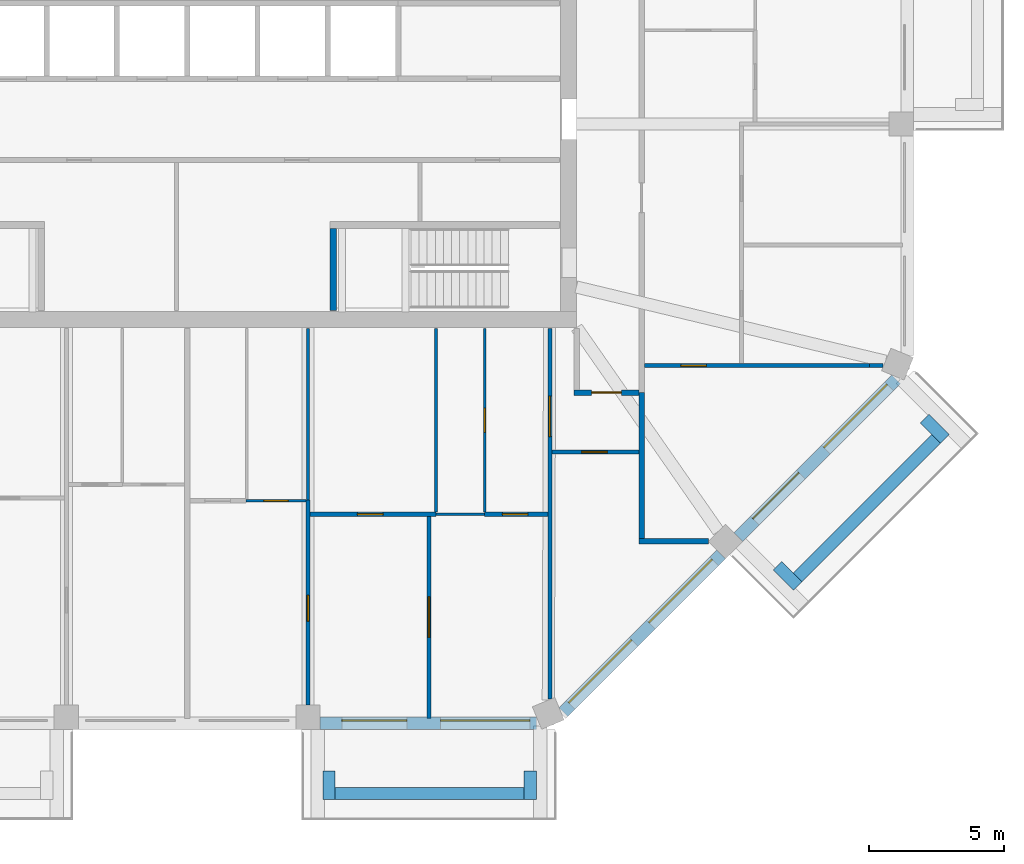
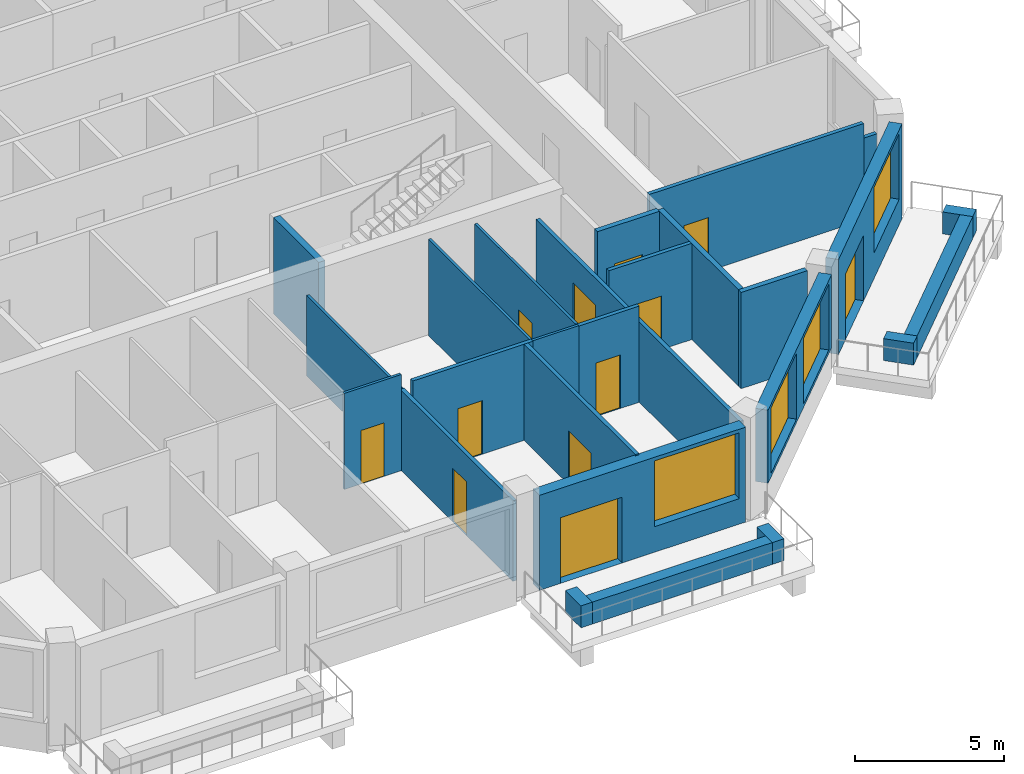
# One storey, part 5 of 13: 26 walls, 12 doors, 4 windows, 16 openings.
"""IFC4 building model written with IfcOpenShell, lengths in metres."""

from ifc_helpers import new_model, si_unit, direction, frame, frame_2d, origin, place, context, subcontext, project, spatial, rectangle, extrude, material, layer, layer_set, type_object, element, fill, save


model = new_model("IFC4")

# Units and contexts
model_context = context("Model", 3, precision=1e-05, world=origin(), true_north=direction((0.0, 1.0)))
body_context = subcontext(model_context, "Body", "Model", "MODEL_VIEW")
ifc_project = project(units=[si_unit("LENGTHUNIT", "METRE"), si_unit("AREAUNIT", "SQUARE_METRE"), si_unit("VOLUMEUNIT", "CUBIC_METRE"), si_unit("PLANEANGLEUNIT", "RADIAN"), si_unit("MASSUNIT", "GRAM", prefix="KILO")], contexts=[model_context])

# Site, building, storey
site_placement = place(None, origin())
site = spatial("IfcSite", under=ifc_project, at=site_placement, CompositionType="ELEMENT")
building_placement = place(site_placement, origin())
building = spatial("IfcBuilding", under=site, at=building_placement, Name="Msitu Wima Residences", CompositionType="ELEMENT")
storey_placement = place(building_placement, frame((0.0, 0.0, 285.300048828125)))
storey = spatial("IfcBuildingStorey", under=building, at=storey_placement, Name="L66", CompositionType="ELEMENT", Elevation=285.300048828125)

# Walls
ifc_material_1 = material(Name="Facing brick")
ifc_layer_1 = layer(ifc_material_1, 0.06494140625, Name="Facing brick")
ifc_material_2 = material(Name="Concrete C40/50", Category="concrete")
ifc_layer_2 = layer(ifc_material_2, 0.156005859375, Name="Concrete C40/50")
ifc_material_3 = material(Name="Waterproofing membrane")
ifc_layer_3 = layer(ifc_material_3, 0.00390625, Name="Waterproofing membrane")
ifc_material_4 = material(Name="Planting soil and planting")
ifc_layer_4 = layer(ifc_material_4, 0.22509765625, Name="Planting soil and planting")
ifc_layer_set_1 = layer_set([ifc_layer_1, ifc_layer_2, ifc_layer_3, ifc_layer_4], Name="Concrete C40/50")
wall_type_1 = type_object("IfcWallType", Name="Balcony planter PLANTER PL450", PredefinedType="USERDEFINED", material=ifc_layer_set_1)
wall_1_placement = place(storey_placement, frame((5.468505859375, -29.22509765625, 0.0), z_axis=(0.0, 0.0, 1.0), x_axis=(1.0, 0.0, 0.0)))
element("IfcWall", 1, at=wall_1_placement, inside=storey, type_object=wall_type_1, Name="Balcony planter S2 L66", ObjectType="PLANTER", PredefinedType="USERDEFINED", context=body_context, shape_type="SweptSolid", body=[
    extrude(rectangle(XDim=6.9873046875, YDim=0.449951171875, at=frame_2d((3.49365234375, 0.0))), origin(), (0.0, 0.0, 1.0), 0.89990234375),
])
for number, where, z_axis, x_axis, name in (
    (2, (5.24365234375, -28.39990234375, 0.0), (0.0, 0.0, 1.0), (0.0, -1.0, 0.0), "Balcony planter S2 L66"),
    (3, (12.680908203125, -28.39990234375, 0.0), (0.0, 0.0, 1.0), (0.0, -1.0, 0.0), "Balcony planter S2 L66"),
):
    element("IfcWall", number, at=place(storey_placement, frame(where, z_axis=z_axis, x_axis=x_axis)), inside=storey, type_object=wall_type_1, Name=name, ObjectType="PLANTER", PredefinedType="USERDEFINED", context=body_context, shape_type="SweptSolid", body=[
        extrude(rectangle(XDim=1.050048828125, YDim=0.449951171875, at=frame_2d((0.52490234375, 0.0))), origin(), (0.0, 0.0, 1.0), 0.89990234375),
    ])
wall_2_placement = place(storey_placement, frame((22.572265625, -21.228759765625, 0.0), z_axis=(0.0, 0.0, 1.0), x_axis=(0.707106781187, 0.707106781187, 0.0)))
element("IfcWall", 4, at=wall_2_placement, inside=storey, type_object=wall_type_1, Name="Balcony planter SE1 L66", ObjectType="PLANTER", PredefinedType="USERDEFINED", context=body_context, shape_type="SweptSolid", body=[
    extrude(rectangle(XDim=7.23828125, YDim=0.449951171875, at=frame_2d((3.619140625, 0.0))), origin(), (0.0, 0.0, 1.0), 0.89990234375),
])
for number, where, z_axis, x_axis, name in (
    (5, (21.829833984375, -20.804443359375, 0.0), (0.0, 0.0, 1.0), (0.707106781187, -0.707106781187, 0.0), "Balcony planter SE1 L66"),
    (6, (27.26611328125, -15.3681640625, 0.0), (0.0, 0.0, 1.0), (0.707223014731, -0.706990528533, 0.0), "Balcony planter SE1 L66"),
):
    element("IfcWall", number, at=place(storey_placement, frame(where, z_axis=z_axis, x_axis=x_axis)), inside=storey, type_object=wall_type_1, Name=name, ObjectType="PLANTER", PredefinedType="USERDEFINED", context=body_context, shape_type="SweptSolid", body=[
        extrude(rectangle(XDim=1.050048828125, YDim=0.449951171875, at=frame_2d((0.52490234375, 0.0))), origin(), (0.0, 0.0, 1.0), 0.89990234375),
    ])

# Wall, openings, door, window
ifc_material_5 = material(Name="Brick (red buff mix)", Category="masonry")
ifc_layer_5 = layer(ifc_material_5, 0.449951171875)
ifc_layer_set_2 = layer_set([ifc_layer_5], Name="Brick (red buff mix)")
wall_type_2 = type_object("IfcWallType", Name="Brick infill wall BW450", PredefinedType="SOLIDWALL", material=ifc_layer_set_2)
wall_3_placement = place(storey_placement, frame((4.918701171875, -26.625, 0.0), z_axis=(0.0, 0.0, 1.0), x_axis=(1.0, 0.0, 0.0)))
wall_3 = element("IfcWall", 7, at=wall_3_placement, inside=storey, type_object=wall_type_2, Name="Brick infill wall L66 S2", PredefinedType="SOLIDWALL", context=body_context, shape_type="SweptSolid", body=[
    extrude(rectangle(XDim=8.0, YDim=0.449951171875, at=frame_2d((4.0, 0.0))), origin(), (0.0, 0.0, 1.0), 3.89990234375),
])
opening_1_placement = place(wall_3_placement, frame((0.800048828125, 0.0, 0.0)))
opening_1 = element("IfcOpeningElement", 8, at=opening_1_placement, cuts=wall_3, Name="Opening D65-67.007", PredefinedType="OPENING", context=body_context, shape_type="SweptSolid", body=[
    extrude(rectangle(XDim=2.39990234375, YDim=2.699951171875, at=frame_2d((1.199951171875, 1.35009765625))), frame((0.0, 0.23486328125, 0.0), z_axis=(0.0, -1.0, 0.0), x_axis=(1.0, 0.0, 0.0)), (0.0, 0.0, 1.0), 0.469970703125),
])
opening_2_placement = place(wall_3_placement, frame((4.4501953125, 0.0, 1.050048828125)))
opening_2 = element("IfcOpeningElement", 9, at=opening_2_placement, cuts=wall_3, Name="Opening W65-67.019", PredefinedType="OPENING", context=body_context, shape_type="SweptSolid", body=[
    extrude(rectangle(XDim=3.300048828125, YDim=2.699951171875, at=frame_2d((1.64990234375, 1.35009765625))), frame((0.0, 0.23486328125, 0.0), z_axis=(0.0, -1.0, 0.0), x_axis=(1.0, 0.0, 0.0)), (0.0, 0.0, 1.0), 0.469970703125),
])
ifc_material_6 = material(Name="Anodised aluminium, bronze finish, clear low-emissivity double glazing", Category="aluminium")
door_type_1 = type_object("IfcDoorType", Name="Balcony door D2400x2700", OperationType="SLIDING_TO_LEFT", PredefinedType="DOOR", material=ifc_material_6)
door_1_placement = place(opening_1_placement, origin())
door_1 = element("IfcDoor", 10, at=door_1_placement, inside=storey, type_object=door_type_1, Name="Balcony door L66 S2", OperationType="SINGLE_SWING_LEFT", OverallHeight=2.699951171875, OverallWidth=2.39990234375, PredefinedType="DOOR", context=body_context, shape_type="SweptSolid", body=[
    extrude(rectangle(XDim=2.39990234375, YDim=2.699951171875, at=frame_2d((1.199951171875, 1.35009765625))), frame((0.0, 0.1298828125, 0.0), z_axis=(0.0, -1.0, 0.0), x_axis=(1.0, 0.0, 0.0)), (0.0, 0.0, 1.0), 0.050048828125),
])
fill(opening_1, door_1)
window_type = type_object("IfcWindowType", Name="Window W3300x2700", PartitioningType="DOUBLE_PANEL_VERTICAL", PredefinedType="WINDOW", material=ifc_material_6)
window_1_placement = place(opening_2_placement, origin())
window_1 = element("IfcWindow", 11, at=window_1_placement, inside=storey, type_object=window_type, Name="Window L66 S2.2", OverallHeight=2.699951171875, OverallWidth=3.300048828125, PartitioningType="SINGLE_PANEL", PredefinedType="WINDOW", context=body_context, shape_type="SweptSolid", body=[
    extrude(rectangle(XDim=3.300048828125, YDim=2.699951171875, at=frame_2d((1.64990234375, 1.35009765625))), frame((0.0, 0.135009765625, 0.0), z_axis=(0.0, -1.0, 0.0), x_axis=(1.0, 0.0, 0.0)), (0.0, 0.0, 1.0), 0.06005859375),
])
fill(opening_2, window_1)

# Wall, openings, windows
wall_4_placement = place(storey_placement, frame((13.909423828125, -26.214599609375, 0.89990234375), z_axis=(0.0, 0.0, 1.0), x_axis=(0.707106781187, 0.707106781187, 0.0)))
wall_4 = element("IfcWall", 12, at=wall_4_placement, inside=storey, type_object=wall_type_2, Name="Brick infill wall L66 SE0", PredefinedType="SOLIDWALL", context=body_context, shape_type="SweptSolid", body=[
    extrude(rectangle(XDim=8.251220703125, YDim=0.449951171875, at=frame_2d((4.12548828125, 0.0))), origin(), (0.0, 0.0, 1.0), 3.0),
])
opening_3_placement = place(wall_4_placement, frame((0.37548828125, 0.0, 0.14990234375)))
opening_3 = element("IfcOpeningElement", 13, at=opening_3_placement, cuts=wall_4, Name="Opening W65-67.020", PredefinedType="OPENING", context=body_context, shape_type="SweptSolid", body=[
    extrude(rectangle(XDim=3.300048828125, YDim=2.699951171875, at=frame_2d((1.64990234375, 1.35009765625))), frame((0.0, 0.23486328125, 0.0), z_axis=(0.0, -1.0, 0.0), x_axis=(1.0, 0.0, 0.0)), (0.0, 0.0, 1.0), 0.469970703125),
])
opening_4_placement = place(wall_4_placement, frame((4.57568359375, 0.0, 0.14990234375)))
opening_4 = element("IfcOpeningElement", 14, at=opening_4_placement, cuts=wall_4, Name="Opening W65-67.021", PredefinedType="OPENING", context=body_context, shape_type="SweptSolid", body=[
    extrude(rectangle(XDim=3.300048828125, YDim=2.699951171875, at=frame_2d((1.64990234375, 1.35009765625))), frame((0.0, 0.23486328125, 0.0), z_axis=(0.0, -1.0, 0.0), x_axis=(1.0, 0.0, 0.0)), (0.0, 0.0, 1.0), 0.469970703125),
])
window_2_placement = place(opening_3_placement, origin())
window_2 = element("IfcWindow", 15, at=window_2_placement, inside=storey, type_object=window_type, Name="Window L66 SE0.1", OverallHeight=2.699951171875, OverallWidth=3.300048828125, PartitioningType="SINGLE_PANEL", PredefinedType="WINDOW", context=body_context, shape_type="SweptSolid", body=[
    extrude(rectangle(XDim=3.300048828125, YDim=2.699951171875, at=frame_2d((1.64990234375, 1.35009765625))), frame((0.0, 0.135009765625, 0.0), z_axis=(0.0, -1.0, 0.0), x_axis=(1.0, 0.0, 0.0)), (0.0, 0.0, 1.0), 0.06005859375),
])
fill(opening_3, window_2)
window_3_placement = place(opening_4_placement, origin())
window_3 = element("IfcWindow", 16, at=window_3_placement, inside=storey, type_object=window_type, Name="Window L66 SE0.2", OverallHeight=2.699951171875, OverallWidth=3.300048828125, PartitioningType="SINGLE_PANEL", PredefinedType="WINDOW", context=body_context, shape_type="SweptSolid", body=[
    extrude(rectangle(XDim=3.300048828125, YDim=2.699951171875, at=frame_2d((1.64990234375, 1.35009765625))), frame((0.0, 0.135009765625, 0.0), z_axis=(0.0, -1.0, 0.0), x_axis=(1.0, 0.0, 0.0)), (0.0, 0.0, 1.0), 0.06005859375),
])
fill(opening_4, window_3)

# Wall, openings, door, window
wall_5_placement = place(storey_placement, frame((20.380126953125, -19.743896484375, 0.0), z_axis=(0.0, 0.0, 1.0), x_axis=(0.707106781187, 0.707106781187, 0.0)))
wall_5 = element("IfcWall", 17, at=wall_5_placement, inside=storey, type_object=wall_type_2, Name="Brick infill wall L66 SE1", PredefinedType="SOLIDWALL", context=body_context, shape_type="SweptSolid", body=[
    extrude(rectangle(XDim=8.251220703125, YDim=0.449951171875, at=frame_2d((4.12548828125, 0.0))), origin(), (0.0, 0.0, 1.0), 3.89990234375),
])
opening_5_placement = place(wall_5_placement, frame((0.86279296875, 0.0, 0.0)))
opening_5 = element("IfcOpeningElement", 18, at=opening_5_placement, cuts=wall_5, Name="Opening D65-67.008", PredefinedType="OPENING", context=body_context, shape_type="SweptSolid", body=[
    extrude(rectangle(XDim=2.39990234375, YDim=2.699951171875, at=frame_2d((1.199951171875, 1.35009765625))), frame((0.0, 0.23486328125, 0.0), z_axis=(0.0, -1.0, 0.0), x_axis=(1.0, 0.0, 0.0)), (0.0, 0.0, 1.0), 0.469970703125),
])
opening_6_placement = place(wall_5_placement, frame((4.57568359375, 0.0, 1.050048828125)))
opening_6 = element("IfcOpeningElement", 19, at=opening_6_placement, cuts=wall_5, Name="Opening W65-67.022", PredefinedType="OPENING", context=body_context, shape_type="SweptSolid", body=[
    extrude(rectangle(XDim=3.300048828125, YDim=2.699951171875, at=frame_2d((1.64990234375, 1.35009765625))), frame((0.0, 0.23486328125, 0.0), z_axis=(0.0, -1.0, 0.0), x_axis=(1.0, 0.0, 0.0)), (0.0, 0.0, 1.0), 0.469970703125),
])
door_2_placement = place(opening_5_placement, origin())
door_2 = element("IfcDoor", 20, at=door_2_placement, inside=storey, type_object=door_type_1, Name="Balcony door L66 SE1", OperationType="SINGLE_SWING_LEFT", OverallHeight=2.699951171875, OverallWidth=2.39990234375, PredefinedType="DOOR", context=body_context, shape_type="SweptSolid", body=[
    extrude(rectangle(XDim=2.39990234375, YDim=2.699951171875, at=frame_2d((1.199951171875, 1.35009765625))), frame((0.0, 0.1298828125, 0.0), z_axis=(0.0, -1.0, 0.0), x_axis=(1.0, 0.0, 0.0)), (0.0, 0.0, 1.0), 0.050048828125),
])
fill(opening_5, door_2)
window_4_placement = place(opening_6_placement, origin())
window_4 = element("IfcWindow", 21, at=window_4_placement, inside=storey, type_object=window_type, Name="Window L66 SE1.2", OverallHeight=2.699951171875, OverallWidth=3.300048828125, PartitioningType="SINGLE_PANEL", PredefinedType="WINDOW", context=body_context, shape_type="SweptSolid", body=[
    extrude(rectangle(XDim=3.300048828125, YDim=2.699951171875, at=frame_2d((1.64990234375, 1.35009765625))), frame((0.0, 0.135009765625, 0.0), z_axis=(0.0, -1.0, 0.0), x_axis=(1.0, 0.0, 0.0)), (0.0, 0.0, 1.0), 0.06005859375),
])
fill(opening_6, window_4)

# Wall, opening, door
ifc_material_7 = material(Name="Plaster")
ifc_layer_6 = layer(ifc_material_7, 0.011962890625, Name="Plaster")
ifc_material_8 = material(Name="Concrete blockwork", Category="masonry")
ifc_layer_7 = layer(ifc_material_8, 0.176025390625, Name="Concrete blockwork")
ifc_layer_8 = layer(ifc_material_7, 0.011962890625, Name="Plaster")
ifc_layer_set_3 = layer_set([ifc_layer_6, ifc_layer_7, ifc_layer_8], Name="Concrete blockwork")
wall_type_3 = type_object("IfcWallType", Name="Corridor wall FW200", PredefinedType="PARTITIONING", material=ifc_layer_set_3)
wall_6_placement = place(storey_placement, frame((14.300048828125, -14.39990234375, 0.0), z_axis=(0.0, 0.0, 1.0), x_axis=(1.0, 0.0, 0.0)))
wall_6 = element("IfcWall", 22, at=wall_6_placement, inside=storey, type_object=wall_type_3, Name="Corridor wall", PredefinedType="PARTITIONING", context=body_context, shape_type="SweptSolid", body=[
    extrude(rectangle(XDim=2.39990234375, YDim=0.199951171875, at=frame_2d((1.199951171875, 0.0))), origin(), (0.0, 0.0, 1.0), 3.949951171875),
])
opening_7_placement = place(wall_6_placement, frame((0.64990234375, 0.0, 0.0)))
opening_7 = element("IfcOpeningElement", 23, at=opening_7_placement, cuts=wall_6, Name="Opening D65-67.064", PredefinedType="OPENING", context=body_context, shape_type="SweptSolid", body=[
    extrude(rectangle(XDim=1.10009765625, YDim=2.39990234375, at=frame_2d((0.550048828125, 1.199951171875))), frame((0.0, 0.10986328125, 0.0), z_axis=(0.0, -1.0, 0.0), x_axis=(1.0, 0.0, 0.0)), (0.0, 0.0, 1.0), 0.219970703125),
])
ifc_material_9 = material(Name="Timber flush door, fire resisting, self-closing", Category="wood")
door_type_2 = type_object("IfcDoorType", Name="Flat entrance door D01 1100x2400", OperationType="SINGLE_SWING_LEFT", PredefinedType="DOOR", material=ifc_material_9)
door_3_placement = place(opening_7_placement, origin())
door_3 = element("IfcDoor", 24, at=door_3_placement, inside=storey, type_object=door_type_2, Name="Flat entrance door", OperationType="SINGLE_SWING_LEFT", OverallHeight=2.39990234375, OverallWidth=1.10009765625, PredefinedType="DOOR", context=body_context, shape_type="SweptSolid", body=[
    extrude(rectangle(XDim=1.10009765625, YDim=2.39990234375, at=frame_2d((0.550048828125, 1.199951171875))), frame((0.0, 0.02490234375, 0.0), z_axis=(0.0, -1.0, 0.0), x_axis=(1.0, 0.0, 0.0)), (0.0, 0.0, 1.0), 0.050048828125),
])
fill(opening_7, door_3)

ifc_layer_9 = layer(ifc_material_7, 0.011962890625, Name="Plaster")
ifc_layer_10 = layer(ifc_material_8, 0.1259765625, Name="Concrete blockwork")
ifc_layer_11 = layer(ifc_material_7, 0.011962890625, Name="Plaster")
ifc_layer_set_4 = layer_set([ifc_layer_9, ifc_layer_10, ifc_layer_11], Name="Concrete blockwork")
wall_type_4 = type_object("IfcWallType", Name="Partition PW150", PredefinedType="PARTITIONING", material=ifc_layer_set_4)
wall_7_placement = place(storey_placement, frame((4.46875, -25.949951171875, 0.0), z_axis=(0.0, 0.0, 1.0), x_axis=(0.0, 1.0, 0.0)))
wall_7 = element("IfcWall", 25, at=wall_7_placement, inside=storey, type_object=wall_type_4, Name="Partition", PredefinedType="PARTITIONING", context=body_context, shape_type="SweptSolid", body=[
    extrude(rectangle(XDim=7.570068359375, YDim=0.14990234375, at=frame_2d((3.78515625, 0.0))), origin(), (0.0, 0.0, 1.0), 3.300048828125),
])
opening_8_placement = place(wall_7_placement, frame((3.10009765625, 0.0, 0.0)))
opening_8 = element("IfcOpeningElement", 26, at=opening_8_placement, cuts=wall_7, Name="Opening D65-67.071", PredefinedType="OPENING", context=body_context, shape_type="SweptSolid", body=[
    extrude(rectangle(XDim=0.949951171875, YDim=2.199951171875, at=frame_2d((0.47509765625, 1.10009765625))), frame((0.0, 0.0849609375, 0.0), z_axis=(0.0, -1.0, 0.0), x_axis=(1.0, 0.0, 0.0)), (0.0, 0.0, 1.0), 0.169921875),
])
ifc_material_10 = material(Name="Timber flush door", Category="wood")
door_type_3 = type_object("IfcDoorType", Name="Room door D12 950x2200", OperationType="SINGLE_SWING_LEFT", PredefinedType="DOOR", material=ifc_material_10)
door_4_placement = place(opening_8_placement, origin())
door_4 = element("IfcDoor", 27, at=door_4_placement, inside=storey, type_object=door_type_3, Name="Room door", OperationType="SINGLE_SWING_LEFT", OverallHeight=2.199951171875, OverallWidth=0.949951171875, PredefinedType="DOOR", context=body_context, shape_type="SweptSolid", body=[
    extrude(rectangle(XDim=0.949951171875, YDim=2.199951171875, at=frame_2d((0.47509765625, 1.10009765625))), frame((0.0, 0.02490234375, 0.0), z_axis=(0.0, -1.0, 0.0), x_axis=(1.0, 0.0, 0.0)), (0.0, 0.0, 1.0), 0.050048828125),
])
fill(opening_8, door_4)

wall_8_placement = place(storey_placement, frame((4.543701171875, -18.89990234375, 0.0), z_axis=(0.0, 0.0, 1.0), x_axis=(1.0, 0.0, 0.0)))
wall_8 = element("IfcWall", 28, at=wall_8_placement, inside=storey, type_object=wall_type_4, Name="Partition", PredefinedType="PARTITIONING", context=body_context, shape_type="SweptSolid", body=[
    extrude(rectangle(XDim=4.65625, YDim=0.14990234375, at=frame_2d((2.328125, 0.0))), origin(), (0.0, 0.0, 1.0), 3.949951171875),
])
opening_9_placement = place(wall_8_placement, frame((1.75, 0.0, 0.0)))
opening_9 = element("IfcOpeningElement", 29, at=opening_9_placement, cuts=wall_8, Name="Opening D65-67.070", PredefinedType="OPENING", context=body_context, shape_type="SweptSolid", body=[
    extrude(rectangle(XDim=0.949951171875, YDim=2.199951171875, at=frame_2d((0.47509765625, 1.10009765625))), frame((0.0, 0.0849609375, 0.0), z_axis=(0.0, -1.0, 0.0), x_axis=(1.0, 0.0, 0.0)), (0.0, 0.0, 1.0), 0.169921875),
])
door_5_placement = place(opening_9_placement, origin())
door_5 = element("IfcDoor", 30, at=door_5_placement, inside=storey, type_object=door_type_3, Name="Room door", OperationType="SINGLE_SWING_LEFT", OverallHeight=2.199951171875, OverallWidth=0.949951171875, PredefinedType="DOOR", context=body_context, shape_type="SweptSolid", body=[
    extrude(rectangle(XDim=0.949951171875, YDim=2.199951171875, at=frame_2d((0.47509765625, 1.10009765625))), frame((0.0, 0.02490234375, 0.0), z_axis=(0.0, -1.0, 0.0), x_axis=(1.0, 0.0, 0.0)), (0.0, 0.0, 1.0), 0.050048828125),
])
fill(opening_9, door_5)

wall_9_placement = place(storey_placement, frame((8.937255859375, -26.455078125, 0.0), z_axis=(0.0, 0.0, 1.0), x_axis=(0.0, 1.0, 0.0)))
wall_9 = element("IfcWall", 31, at=wall_9_placement, inside=storey, type_object=wall_type_4, Name="Partition", PredefinedType="PARTITIONING", context=body_context, shape_type="SweptSolid", body=[
    extrude(rectangle(XDim=7.47998046875, YDim=0.14990234375, at=frame_2d((3.739990234375, 0.0))), origin(), (0.0, 0.0, 1.0), 3.949951171875),
])
opening_10_placement = place(wall_9_placement, frame((3.0, 0.0, 0.0)))
opening_10 = element("IfcOpeningElement", 32, at=opening_10_placement, cuts=wall_9, Name="Opening D65-67.069", PredefinedType="OPENING", context=body_context, shape_type="SweptSolid", body=[
    extrude(rectangle(XDim=1.5, YDim=2.199951171875, at=frame_2d((0.75, 1.10009765625))), frame((0.0, 0.0849609375, 0.0), z_axis=(0.0, -1.0, 0.0), x_axis=(1.0, 0.0, 0.0)), (0.0, 0.0, 1.0), 0.169921875),
])
ifc_material_11 = material(Name="Timber double door", Category="wood")
door_type_4 = type_object("IfcDoorType", Name="Double door D04 1500x2200", OperationType="DOUBLE_DOOR_SINGLE_SWING", PredefinedType="DOOR", material=ifc_material_11)
door_6_placement = place(opening_10_placement, origin())
door_6 = element("IfcDoor", 33, at=door_6_placement, inside=storey, type_object=door_type_4, Name="Double door", OperationType="DOUBLE_DOOR_SINGLE_SWING", OverallHeight=2.199951171875, OverallWidth=1.5, PredefinedType="DOOR", context=body_context, shape_type="SweptSolid", body=[
    extrude(rectangle(XDim=1.5, YDim=2.199951171875, at=frame_2d((0.75, 1.10009765625))), frame((0.0, 0.02490234375, 0.0), z_axis=(0.0, -1.0, 0.0), x_axis=(1.0, 0.0, 0.0)), (0.0, 0.0, 1.0), 0.050048828125),
])
fill(opening_10, door_6)

wall_10_placement = place(storey_placement, frame((11.0, -18.89990234375, 0.0), z_axis=(0.0, 0.0, 1.0), x_axis=(1.0, 0.0, 0.0)))
wall_10 = element("IfcWall", 34, at=wall_10_placement, inside=storey, type_object=wall_type_4, Name="Partition", PredefinedType="PARTITIONING", context=body_context, shape_type="SweptSolid", body=[
    extrude(rectangle(XDim=2.330810546875, YDim=0.14990234375, at=frame_2d((1.16552734375, 0.0))), origin(), (0.0, 0.0, 1.0), 3.949951171875),
])
opening_11_placement = place(wall_10_placement, frame((0.64990234375, 0.0, 0.0)))
opening_11 = element("IfcOpeningElement", 35, at=opening_11_placement, cuts=wall_10, Name="Opening D65-67.066", PredefinedType="OPENING", context=body_context, shape_type="SweptSolid", body=[
    extrude(rectangle(XDim=0.949951171875, YDim=2.199951171875, at=frame_2d((0.47509765625, 1.10009765625))), frame((0.0, 0.0849609375, 0.0), z_axis=(0.0, -1.0, 0.0), x_axis=(1.0, 0.0, 0.0)), (0.0, 0.0, 1.0), 0.169921875),
])
door_7_placement = place(opening_11_placement, origin())
door_7 = element("IfcDoor", 36, at=door_7_placement, inside=storey, type_object=door_type_3, Name="Room door", OperationType="SINGLE_SWING_LEFT", OverallHeight=2.199951171875, OverallWidth=0.949951171875, PredefinedType="DOOR", context=body_context, shape_type="SweptSolid", body=[
    extrude(rectangle(XDim=0.949951171875, YDim=2.199951171875, at=frame_2d((0.47509765625, 1.10009765625))), frame((0.0, 0.02490234375, 0.0), z_axis=(0.0, -1.0, 0.0), x_axis=(1.0, 0.0, 0.0)), (0.0, 0.0, 1.0), 0.050048828125),
])
fill(opening_11, door_7)

wall_11_placement = place(storey_placement, frame((13.406005859375, -25.731201171875, 0.0), z_axis=(0.0, 0.0, 1.0), x_axis=(0.0, 1.0, 0.0)))
wall_11 = element("IfcWall", 37, at=wall_11_placement, inside=storey, type_object=wall_type_4, Name="Partition", PredefinedType="PARTITIONING", context=body_context, shape_type="SweptSolid", body=[
    extrude(rectangle(XDim=13.701171875, YDim=0.14990234375, at=frame_2d((6.8505859375, 0.0))), origin(), (0.0, 0.0, 1.0), 3.300048828125),
])
opening_12_placement = place(wall_11_placement, frame((9.699951171875, 0.0, 0.0)))
opening_12 = element("IfcOpeningElement", 38, at=opening_12_placement, cuts=wall_11, Name="Opening D65-67.065", PredefinedType="OPENING", context=body_context, shape_type="SweptSolid", body=[
    extrude(rectangle(XDim=1.5, YDim=2.199951171875, at=frame_2d((0.75, 1.10009765625))), frame((0.0, 0.0849609375, 0.0), z_axis=(0.0, -1.0, 0.0), x_axis=(1.0, 0.0, 0.0)), (0.0, 0.0, 1.0), 0.169921875),
])
door_8_placement = place(opening_12_placement, origin())
door_8 = element("IfcDoor", 39, at=door_8_placement, inside=storey, type_object=door_type_4, Name="Double door", OperationType="DOUBLE_DOOR_SINGLE_SWING", OverallHeight=2.199951171875, OverallWidth=1.5, PredefinedType="DOOR", context=body_context, shape_type="SweptSolid", body=[
    extrude(rectangle(XDim=1.5, YDim=2.199951171875, at=frame_2d((0.75, 1.10009765625))), frame((0.0, 0.02490234375, 0.0), z_axis=(0.0, -1.0, 0.0), x_axis=(1.0, 0.0, 0.0)), (0.0, 0.0, 1.0), 0.050048828125),
])
fill(opening_12, door_8)

wall_12_placement = place(storey_placement, frame((13.48095703125, -16.60009765625, 0.0), z_axis=(0.0, 0.0, 1.0), x_axis=(1.0, 0.0, 0.0)))
wall_12 = element("IfcWall", 40, at=wall_12_placement, inside=storey, type_object=wall_type_4, Name="Partition", PredefinedType="PARTITIONING", context=body_context, shape_type="SweptSolid", body=[
    extrude(rectangle(XDim=3.218994140625, YDim=0.14990234375, at=frame_2d((1.609375, 0.0))), origin(), (0.0, 0.0, 1.0), 3.949951171875),
])
opening_13_placement = place(wall_12_placement, frame((1.10009765625, 0.0, 0.0)))
opening_13 = element("IfcOpeningElement", 41, at=opening_13_placement, cuts=wall_12, Name="Opening D65-67.067", PredefinedType="OPENING", context=body_context, shape_type="SweptSolid", body=[
    extrude(rectangle(XDim=0.949951171875, YDim=2.199951171875, at=frame_2d((0.47509765625, 1.10009765625))), frame((0.0, 0.0849609375, 0.0), z_axis=(0.0, -1.0, 0.0), x_axis=(1.0, 0.0, 0.0)), (0.0, 0.0, 1.0), 0.169921875),
])
door_9_placement = place(opening_13_placement, origin())
door_9 = element("IfcDoor", 42, at=door_9_placement, inside=storey, type_object=door_type_3, Name="Room door", OperationType="SINGLE_SWING_RIGHT", OverallHeight=2.199951171875, OverallWidth=0.949951171875, PredefinedType="DOOR", context=body_context, shape_type="SweptSolid", body=[
    extrude(rectangle(XDim=0.949951171875, YDim=2.199951171875, at=frame_2d((0.47509765625, 1.10009765625))), frame((0.0, 0.02490234375, 0.0), z_axis=(0.0, -1.0, 0.0), x_axis=(1.0, 0.0, 0.0)), (0.0, 0.0, 1.0), 0.050048828125),
])
fill(opening_13, door_9)

wall_13_placement = place(storey_placement, frame((16.89990234375, -13.406005859375, 0.0), z_axis=(0.0, 0.0, 1.0), x_axis=(1.0, 0.0, 0.0)))
wall_13 = element("IfcWall", 43, at=wall_13_placement, inside=storey, type_object=wall_type_4, Name="Partition", PredefinedType="PARTITIONING", context=body_context, shape_type="SweptSolid", body=[
    extrude(rectangle(XDim=8.32421875, YDim=0.14990234375, at=frame_2d((4.162109375, 0.0))), origin(), (0.0, 0.0, 1.0), 3.949951171875),
])
opening_14_placement = place(wall_13_placement, frame((1.35009765625, 0.0, 0.0)))
opening_14 = element("IfcOpeningElement", 44, at=opening_14_placement, cuts=wall_13, Name="Opening D65-67.012", PredefinedType="OPENING", context=body_context, shape_type="SweptSolid", body=[
    extrude(rectangle(XDim=0.949951171875, YDim=2.199951171875, at=frame_2d((0.47509765625, 1.10009765625))), frame((0.0, 0.0849609375, 0.0), z_axis=(0.0, -1.0, 0.0), x_axis=(1.0, 0.0, 0.0)), (0.0, 0.0, 1.0), 0.169921875),
])
door_10_placement = place(opening_14_placement, origin())
door_10 = element("IfcDoor", 45, at=door_10_placement, inside=storey, type_object=door_type_3, Name="Room door", OperationType="SINGLE_SWING_RIGHT", OverallHeight=2.199951171875, OverallWidth=0.949951171875, PredefinedType="DOOR", context=body_context, shape_type="SweptSolid", body=[
    extrude(rectangle(XDim=0.949951171875, YDim=2.199951171875, at=frame_2d((0.47509765625, 1.10009765625))), frame((0.0, 0.02490234375, 0.0), z_axis=(0.0, -1.0, 0.0), x_axis=(1.0, 0.0, 0.0)), (0.0, 0.0, 1.0), 0.050048828125),
])
fill(opening_14, door_10)

# Walls
wall_14_placement = place(storey_placement, frame((25.22412109375, -13.406005859375, 0.0), z_axis=(0.0, 0.0, 1.0), x_axis=(1.0, 0.0, 0.0)))
element("IfcWall", 46, at=wall_14_placement, inside=storey, type_object=wall_type_4, Name="Partition", PredefinedType="PARTITIONING", context=body_context, shape_type="SweptSolid", body=[
    extrude(rectangle(XDim=0.507080078125, YDim=0.14990234375, at=frame_2d((0.25341796875, 0.0))), origin(), (0.0, 0.0, 1.0), 3.349853515625),
])
ifc_layer_12 = layer(ifc_material_7, 0.011962890625, Name="Plaster")
ifc_material_12 = material(Name="Dense concrete blockwork", Category="masonry")
ifc_layer_13 = layer(ifc_material_12, 0.176025390625, Name="Dense concrete blockwork")
ifc_layer_14 = layer(ifc_material_7, 0.011962890625, Name="Plaster")
ifc_layer_set_5 = layer_set([ifc_layer_12, ifc_layer_13, ifc_layer_14], Name="Dense concrete blockwork")
wall_type_5 = type_object("IfcWallType", Name="Party wall PW200", PredefinedType="PARTITIONING", material=ifc_layer_set_5)
wall_15_placement = place(storey_placement, frame((16.800048828125, -19.802978515625, 0.0), z_axis=(0.0, 0.0, 1.0), x_axis=(0.0, 1.0, 0.0)))
element("IfcWall", 47, at=wall_15_placement, inside=storey, type_object=wall_type_5, Name="Party wall", PredefinedType="PARTITIONING", context=body_context, shape_type="SweptSolid", body=[
    extrude(rectangle(XDim=5.403076171875, YDim=0.199951171875, at=frame_2d((2.70166015625, 0.0))), origin(), (0.0, 0.0, 1.0), 3.949951171875),
])
wall_16_placement = place(storey_placement, frame((16.699951171875, -19.90283203125, 0.0), z_axis=(0.0, 0.0, 1.0), x_axis=(1.0, 0.0, 0.0)))
element("IfcWall", 48, at=wall_16_placement, inside=storey, type_object=wall_type_5, Name="Party wall", PredefinedType="PARTITIONING", context=body_context, shape_type="SweptSolid", body=[
    extrude(rectangle(XDim=2.566650390625, YDim=0.199951171875, at=frame_2d((1.283203125, 0.0))), origin(), (0.0, 0.0, 1.0), 3.949951171875),
])
ifc_material_13 = material(Name="Concrete C50/60", Category="concrete")
ifc_layer_15 = layer(ifc_material_13, 0.25)
ifc_layer_set_6 = layer_set([ifc_layer_15], Name="Concrete C50/60")
wall_type_6 = type_object("IfcWallType", Name="Stair enclosure wall SW250", PredefinedType="SHEAR", material=ifc_layer_set_6)
wall_17_placement = place(storey_placement, frame((5.39990234375, -11.3701171875, 0.0), z_axis=(0.0, 0.0, 1.0), x_axis=(0.0, 1.0, 0.0)))
element("IfcWall", 49, at=wall_17_placement, inside=storey, type_object=wall_type_6, Name="Stair enclosure wall", PredefinedType="SHEAR", context=body_context, shape_type="SweptSolid", body=[
    extrude(rectangle(XDim=3.045166015625, YDim=0.25, at=frame_2d((1.5224609375, 0.0))), origin(), (0.0, 0.0, 1.0), 3.949951171875),
])

# Wall, opening, door
ifc_material_14 = material(Name="Ceramic tiles")
ifc_layer_16 = layer(ifc_material_14, 0.008056640625, Name="Ceramic tiles")
ifc_material_15 = material(Name="Moisture-resistant board")
ifc_layer_17 = layer(ifc_material_15, 0.012451171875, Name="Moisture-resistant board")
ifc_material_16 = material(Name="Light-gauge stud framing with mineral wool")
ifc_layer_18 = layer(ifc_material_16, 0.06689453125, Name="Light-gauge stud framing with mineral wool")
ifc_layer_19 = layer(ifc_material_15, 0.012451171875, Name="Moisture-resistant board")
ifc_layer_set_7 = layer_set([ifc_layer_16, ifc_layer_17, ifc_layer_18, ifc_layer_19], Name="Light-gauge stud framing with mineral wool")
wall_type_7 = type_object("IfcWallType", Name="Wet wall PW100", PredefinedType="PARTITIONING", material=ifc_layer_set_7)
wall_18_placement = place(storey_placement, frame((2.179931640625, -18.39990234375, 0.0), z_axis=(0.0, 0.0, 1.0), x_axis=(1.0, 0.0, 0.0)))
wall_18 = element("IfcWall", 50, at=wall_18_placement, inside=storey, type_object=wall_type_7, Name="Wet wall", PredefinedType="PARTITIONING", context=body_context, shape_type="SweptSolid", body=[
    extrude(rectangle(XDim=2.213623046875, YDim=0.10009765625, at=frame_2d((1.10693359375, 0.0))), origin(), (0.0, 0.0, 1.0), 3.949951171875),
])
opening_15_placement = place(wall_18_placement, frame((0.64990234375, 0.0, 0.0)))
opening_15 = element("IfcOpeningElement", 51, at=opening_15_placement, cuts=wall_18, Name="Opening D65-67.073", PredefinedType="OPENING", context=body_context, shape_type="SweptSolid", body=[
    extrude(rectangle(XDim=0.89990234375, YDim=2.199951171875, at=frame_2d((0.449951171875, 1.10009765625))), frame((0.0, 0.06005859375, 0.0), z_axis=(0.0, -1.0, 0.0), x_axis=(1.0, 0.0, 0.0)), (0.0, 0.0, 1.0), 0.1201171875),
])
ifc_material_17 = material(Name="Timber flush door, moisture resistant", Category="wood")
door_type_5 = type_object("IfcDoorType", Name="Bathroom door D03 900x2200", OperationType="SINGLE_SWING_LEFT", PredefinedType="DOOR", material=ifc_material_17)
door_11_placement = place(opening_15_placement, origin())
door_11 = element("IfcDoor", 52, at=door_11_placement, inside=storey, type_object=door_type_5, Name="Bathroom door", OperationType="SINGLE_SWING_LEFT", OverallHeight=2.199951171875, OverallWidth=0.89990234375, PredefinedType="DOOR", context=body_context, shape_type="SweptSolid", body=[
    extrude(rectangle(XDim=0.89990234375, YDim=2.199951171875, at=frame_2d((0.449951171875, 1.10009765625))), frame((0.0, 0.02490234375, 0.0), z_axis=(0.0, -1.0, 0.0), x_axis=(1.0, 0.0, 0.0)), (0.0, 0.0, 1.0), 0.050048828125),
])
fill(opening_15, door_11)

# Walls
wall_19_placement = place(storey_placement, frame((4.46875, -18.3798828125, 0.0), z_axis=(0.0, 0.0, 1.0), x_axis=(0.0, 1.0, 0.0)))
element("IfcWall", 53, at=wall_19_placement, inside=storey, type_object=wall_type_7, Name="Wet wall", PredefinedType="PARTITIONING", context=body_context, shape_type="SweptSolid", body=[
    extrude(rectangle(XDim=6.349853515625, YDim=0.10009765625, at=frame_2d((3.1748046875, 0.0))), origin(), (0.0, 0.0, 1.0), 3.300048828125),
])
wall_20_placement = place(storey_placement, frame((9.199951171875, -18.89990234375, 0.0), z_axis=(0.0, 0.0, 1.0), x_axis=(1.0, 0.0, 0.0)))
element("IfcWall", 54, at=wall_20_placement, inside=storey, type_object=wall_type_7, Name="Wet wall", PredefinedType="PARTITIONING", context=body_context, shape_type="SweptSolid", body=[
    extrude(rectangle(XDim=1.800048828125, YDim=0.10009765625, at=frame_2d((0.89990234375, 0.0))), origin(), (0.0, 0.0, 1.0), 3.949951171875),
])
wall_21_placement = place(storey_placement, frame((9.199951171875, -18.824951171875, 0.0), z_axis=(0.0, 0.0, 1.0), x_axis=(0.0, 1.0, 0.0)))
element("IfcWall", 55, at=wall_21_placement, inside=storey, type_object=wall_type_7, Name="Wet wall", PredefinedType="PARTITIONING", context=body_context, shape_type="SweptSolid", body=[
    extrude(rectangle(XDim=6.794921875, YDim=0.10009765625, at=frame_2d((3.3974609375, 0.0))), origin(), (0.0, 0.0, 1.0), 3.949951171875),
])

# Wall, opening, door
wall_22_placement = place(storey_placement, frame((11.0, -18.824951171875, 0.0), z_axis=(0.0, 0.0, 1.0), x_axis=(0.0, 1.0, 0.0)))
wall_22 = element("IfcWall", 56, at=wall_22_placement, inside=storey, type_object=wall_type_7, Name="Wet wall", PredefinedType="PARTITIONING", context=body_context, shape_type="SweptSolid", body=[
    extrude(rectangle(XDim=6.794921875, YDim=0.10009765625, at=frame_2d((3.3974609375, 0.0))), origin(), (0.0, 0.0, 1.0), 3.949951171875),
])
opening_16_placement = place(wall_22_placement, frame((2.949951171875, 0.0, 0.0)))
opening_16 = element("IfcOpeningElement", 57, at=opening_16_placement, cuts=wall_22, Name="Opening D65-67.068", PredefinedType="OPENING", context=body_context, shape_type="SweptSolid", body=[
    extrude(rectangle(XDim=0.89990234375, YDim=2.199951171875, at=frame_2d((0.449951171875, 1.10009765625))), frame((0.0, 0.06005859375, 0.0), z_axis=(0.0, -1.0, 0.0), x_axis=(1.0, 0.0, 0.0)), (0.0, 0.0, 1.0), 0.1201171875),
])
door_12_placement = place(opening_16_placement, origin())
door_12 = element("IfcDoor", 58, at=door_12_placement, inside=storey, type_object=door_type_5, Name="Bathroom door", OperationType="SINGLE_SWING_RIGHT", OverallHeight=2.199951171875, OverallWidth=0.89990234375, PredefinedType="DOOR", context=body_context, shape_type="SweptSolid", body=[
    extrude(rectangle(XDim=0.89990234375, YDim=2.199951171875, at=frame_2d((0.449951171875, 1.10009765625))), frame((0.0, 0.02490234375, 0.0), z_axis=(0.0, -1.0, 0.0), x_axis=(1.0, 0.0, 0.0)), (0.0, 0.0, 1.0), 0.050048828125),
])
fill(opening_16, door_12)

save(model, "model.ifc")
